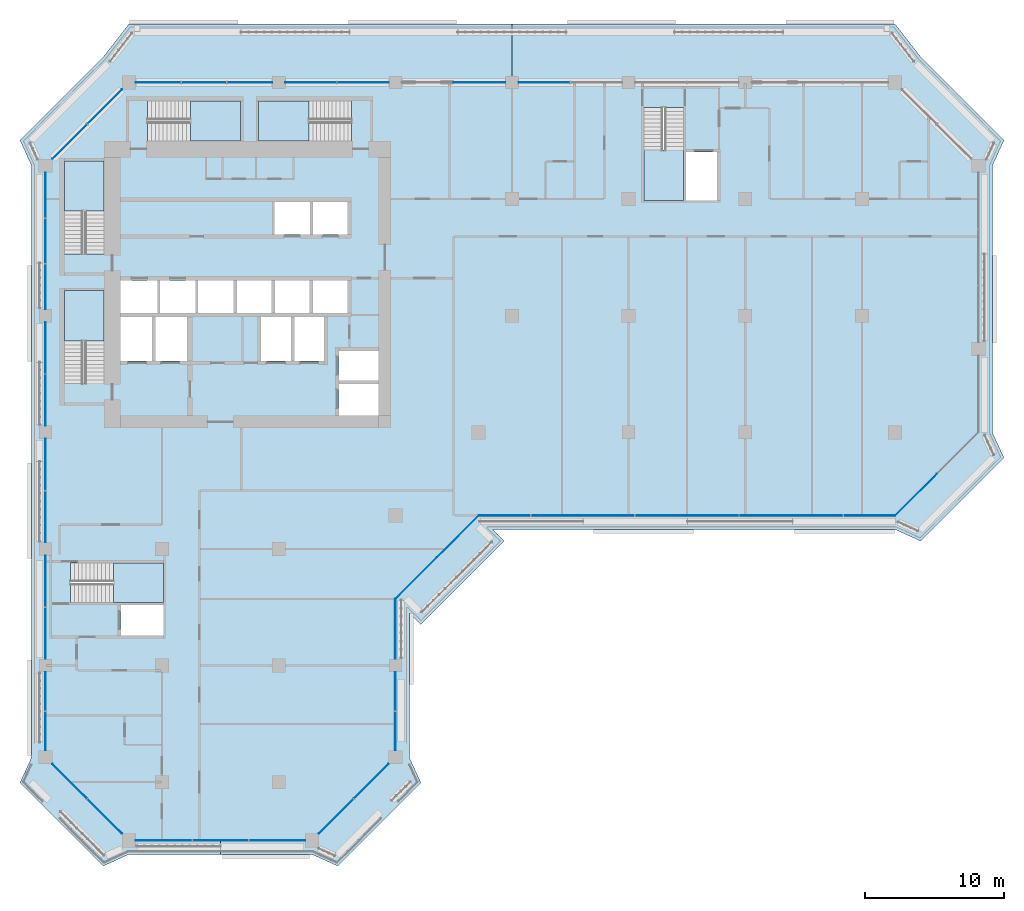
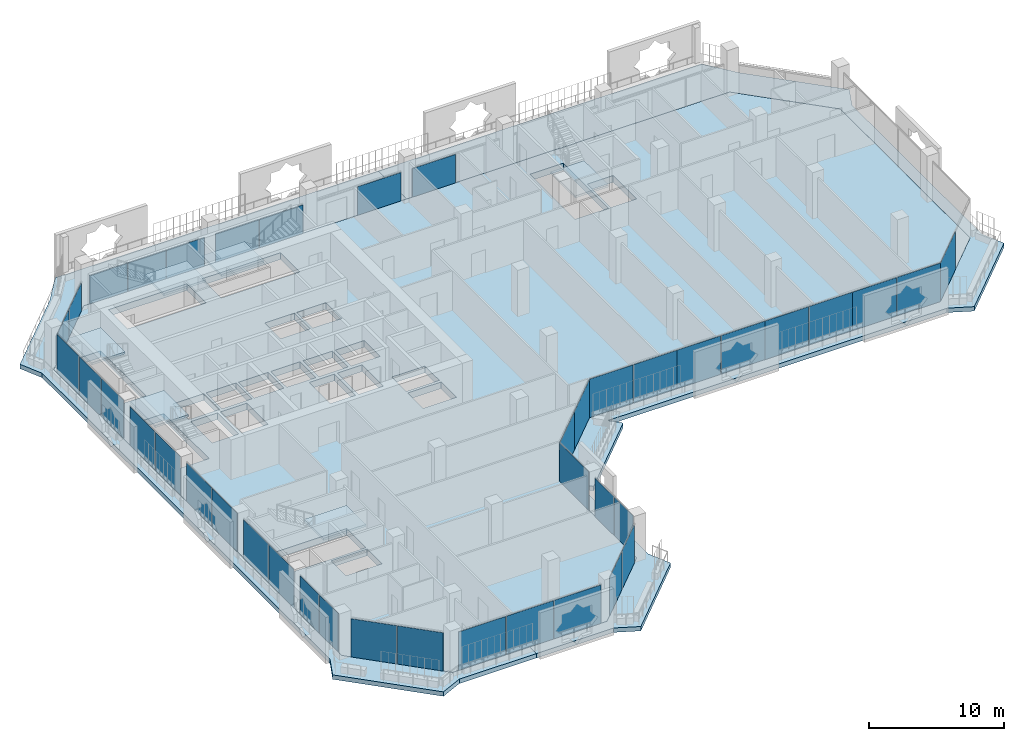
# One storey, part 8 of 22: 41 plates, 9 slabs, 16 elements without a shape of their own.
"""IFC4 building model written with IfcOpenShell, lengths in metres."""

import ifcopenshell
import ifcopenshell.guid

model = None  # the IFC model being written
_history = None  # IfcOwnerHistory: only IFC2X3 demands one
_inside = {}  # id of a spatial element -> (the spatial element, [elements in it])
_under = {}  # id of a project, library or spatial element -> (it, [spatial elements below it])
_declared = {}  # id of a project -> (the project, [libraries it declares])
_typed = {}  # id of a type object -> (the type object, [elements of that type])
_made_of = {}  # id of a material, layer set ... -> (it, [elements and type objects made of it])


def new_model(schema):
    """Start an empty IFC model of exactly this schema.

    Asked for "IFC4X3", IfcOpenShell would pick the latest addendum, in which some entities
    have other attributes; the version numbers below select the first issue.
    IFC2X3 requires an IfcOwnerHistory on every rooted entity: one is made here for all.
    """
    global model, _history
    if schema == "IFC4X3":
        model = ifcopenshell.file(schema_version=(4, 3, 0, 0))
    else:
        model = ifcopenshell.file(schema=schema)
    _inside.clear()
    _under.clear()
    _declared.clear()
    _typed.clear()
    _made_of.clear()
    _history = None
    if model.schema == "IFC2X3":
        org = make("IfcOrganization", Name="unknown")
        user = make(
            "IfcPersonAndOrganization",
            ThePerson=make("IfcPerson", FamilyName="unknown"),
            TheOrganization=org,
        )
        app = make(
            "IfcApplication",
            ApplicationDeveloper=org,
            Version="unknown",
            ApplicationFullName="unknown",
            ApplicationIdentifier="unknown",
        )
        _history = make(
            "IfcOwnerHistory",
            OwningUser=user,
            OwningApplication=app,
            ChangeAction="ADDED",
            CreationDate=0,
        )
    return model


def make(cls, **values):
    """One entity of the class cls with the attributes given. An attribute that is None is left unset."""
    return model.create_entity(
        cls, **{name: value for name, value in values.items() if value is not None}
    )


def rooted(cls, **values):
    """An entity with a GlobalId (a new one), such as an element, a storey or a relation."""
    return make(cls, GlobalId=ifcopenshell.guid.new(), OwnerHistory=_history, **values)


def si_unit(unit_type, name, prefix=None):
    """IfcSIUnit, for example si_unit("LENGTHUNIT", "METRE", prefix="MILLI")."""
    return make("IfcSIUnit", UnitType=unit_type, Prefix=prefix, Name=name)


def assignment(units):
    """IfcUnitAssignment: the units of a project."""
    return None if units is None else make("IfcUnitAssignment", Units=units)


def point(xyz):
    """IfcCartesianPoint."""
    return None if xyz is None else make("IfcCartesianPoint", Coordinates=xyz)


def direction(xyz):
    """IfcDirection."""
    return None if xyz is None else make("IfcDirection", DirectionRatios=xyz)


def frame(location, z_axis=None, x_axis=None):
    """IfcAxis2Placement3D, a coordinate frame: its origin and axes. An axis left out is left unset."""
    return make(
        "IfcAxis2Placement3D",
        Location=point(location),
        Axis=direction(z_axis),
        RefDirection=direction(x_axis),
    )


def frame_2d(location, x_axis=None):
    """IfcAxis2Placement2D, a coordinate frame in the plane: its origin and x axis."""
    return make(
        "IfcAxis2Placement2D", Location=point(location), RefDirection=direction(x_axis)
    )


def origin():
    """The frame at (0, 0, 0) with its axes left unset."""
    return frame((0.0, 0.0, 0.0))


def origin_2d():
    """The frame at (0, 0) in the plane with its x axis left unset."""
    return frame_2d((0.0, 0.0))


def place(relative_to, where):
    """IfcLocalPlacement: puts the frame where relative to a parent placement (None: the world)."""
    return make(
        "IfcLocalPlacement", PlacementRelTo=relative_to, RelativePlacement=where
    )


def context(
    kind, dimensions, precision=None, world=None, true_north=None, identifier=None
):
    """IfcGeometricRepresentationContext, for example the 3D "Model" context."""
    return make(
        "IfcGeometricRepresentationContext",
        ContextIdentifier=identifier,
        ContextType=kind,
        CoordinateSpaceDimension=dimensions,
        Precision=precision,
        WorldCoordinateSystem=world,
        TrueNorth=true_north,
    )


def subcontext(parent, identifier, kind, view, scale=None):
    """IfcGeometricRepresentationSubContext, for example "Body" below "Model"."""
    return make(
        "IfcGeometricRepresentationSubContext",
        ContextIdentifier=identifier,
        ContextType=kind,
        ParentContext=parent,
        TargetScale=scale,
        TargetView=view,
    )


def project(units=None, contexts=None):
    """IfcProject with its units and contexts."""
    return rooted(
        "IfcProject",
        Name="project",
        RepresentationContexts=contexts,
        UnitsInContext=assignment(units),
    )


def spatial(cls, under=None, at=None, **own):
    """A site, building, storey or space (cls), placed at a placement, below another one or the project."""
    s = rooted(cls, ObjectPlacement=at, **own)
    if under is not None:
        _under.setdefault(under.id(), (under, []))[1].append(s)
    return s


def polyline(points):
    """IfcPolyline through the points."""
    return make("IfcPolyline", Points=[point(p) for p in points])


def profile(cls, at=None, kind="AREA", **sizes):
    """A parametric profile (cls). Its sizes go by their IFC names, for example OverallWidth=200.0."""
    return make(cls, ProfileType=kind, Position=at, **sizes)


def rectangle(**sizes):
    """IfcRectangleProfileDef."""
    return profile("IfcRectangleProfileDef", **sizes)


def outline(outer, holes=None, kind="AREA"):
    """IfcArbitraryClosedProfileDef: a profile drawn as a closed curve; with holes, ...WithVoids."""
    if holes is None:
        return make("IfcArbitraryClosedProfileDef", ProfileType=kind, OuterCurve=outer)
    return make(
        "IfcArbitraryProfileDefWithVoids",
        ProfileType=kind,
        OuterCurve=outer,
        InnerCurves=holes,
    )


def extrude(swept, where, along, depth):
    """IfcExtrudedAreaSolid: the profile swept, set in the frame where, extruded along a direction by depth."""
    return make(
        "IfcExtrudedAreaSolid",
        SweptArea=swept,
        Position=where,
        ExtrudedDirection=direction(along),
        Depth=depth,
    )


def shape(context_of_items, identifier, shape_type, items):
    """IfcShapeRepresentation: the items that make up one representation, for example the "Body"."""
    return make(
        "IfcShapeRepresentation",
        ContextOfItems=context_of_items,
        RepresentationIdentifier=identifier,
        RepresentationType=shape_type,
        Items=items,
    )


def material(Name=None, Category=None):
    """IfcMaterial."""
    return make("IfcMaterial", Name=Name, Category=Category)


def layer(
    of_material, thickness, ventilated=None, Name=None, Category=None, Priority=None
):
    """IfcMaterialLayer: one layer of a wall or slab, of a material (None: an air gap)."""
    return make(
        "IfcMaterialLayer",
        Material=of_material,
        LayerThickness=thickness,
        IsVentilated=ventilated,
        Name=Name,
        Category=Category,
        Priority=Priority,
    )


def layer_set(layers, Name=None):
    """IfcMaterialLayerSet."""
    return make("IfcMaterialLayerSet", MaterialLayers=layers, LayerSetName=Name)


def made_of(thing, what):
    """Note that an element or type object is made of a material, layer set ...; save() writes the relation."""
    if what is not None:
        _made_of.setdefault(what.id(), (what, []))[1].append(thing)
    return thing


def type_object(cls, material=None, **own):
    """A type object (cls), such as IfcWallType, which elements share."""
    return made_of(rooted(cls, **own), material)


def element(
    cls,
    number,
    at=None,
    inside=None,
    cuts=None,
    type_object=None,
    material=None,
    context=None,
    identifier="Body",
    shape_type=None,
    held_by="IfcProductDefinitionShape",
    body=None,
    shapes=None,
    **own,
):
    """One element of the class cls, such as IfcWall. Its Tag is "e" and its number.

    at: its placement. inside: the storey or other place that contains it. cuts: it is an
    opening in that element (IfcRelVoidsElement). A single representation is given by context,
    identifier, shape_type and body (its items); several are given by shapes. held_by: the class
    of the entity that holds the representations. save() writes the other relations.
    """
    e = rooted(cls, Tag="e%d" % number, ObjectPlacement=at, **own)
    if body is not None:
        shapes = [shape(context, identifier, shape_type, body)]
    if shapes is not None:
        e.Representation = make(held_by, Representations=shapes)
    if inside is not None:
        _inside.setdefault(inside.id(), (inside, []))[1].append(e)
    if cuts is not None:
        rooted(
            "IfcRelVoidsElement", RelatingBuildingElement=cuts, RelatedOpeningElement=e
        )
    if type_object is not None:
        _typed.setdefault(type_object.id(), (type_object, []))[1].append(e)
    return made_of(e, material)


def aggregate(whole, parts):
    """IfcRelAggregates: a whole, such as a stair, and the parts it consists of."""
    return rooted("IfcRelAggregates", RelatingObject=whole, RelatedObjects=parts)


def save(model, path):
    """Write the relations noted so far, then the file.

    IfcRelAggregates (storeys below a building ...), IfcRelContainedInSpatialStructure (elements
    in a storey), IfcRelDefinesByType, IfcRelAssociatesMaterial and IfcRelDeclares: one each for
    every whole, place, type object, material and project.
    """
    for whole, parts in _under.values():
        aggregate(whole, parts)
    for where, things in _inside.values():
        rooted(
            "IfcRelContainedInSpatialStructure",
            RelatedElements=things,
            RelatingStructure=where,
        )
    for kind, things in _typed.values():
        rooted("IfcRelDefinesByType", RelatedObjects=things, RelatingType=kind)
    for what, things in _made_of.values():
        rooted("IfcRelAssociatesMaterial", RelatedObjects=things, RelatingMaterial=what)
    for by, libraries in _declared.values():
        rooted("IfcRelDeclares", RelatingContext=by, RelatedDefinitions=libraries)
    model.write(path)


model = new_model("IFC4")

# Units and contexts
model_context = context("Model", 3, precision=1e-05, world=origin(), true_north=direction((0.0, 1.0)))
body_context = subcontext(model_context, "Body", "Model", "MODEL_VIEW")
ifc_project = project(units=[si_unit("LENGTHUNIT", "METRE"), si_unit("AREAUNIT", "SQUARE_METRE"), si_unit("VOLUMEUNIT", "CUBIC_METRE"), si_unit("PLANEANGLEUNIT", "RADIAN"), si_unit("MASSUNIT", "GRAM", prefix="KILO")], contexts=[model_context])

# Site, building, storey
site_placement = place(None, origin())
site = spatial("IfcSite", under=ifc_project, at=site_placement, CompositionType="ELEMENT")
building_placement = place(site_placement, origin())
building = spatial("IfcBuilding", under=site, at=building_placement, Name="Kawkab Arch Medical Tower", CompositionType="ELEMENT")
storey_placement = place(building_placement, frame((0.0, 0.0, 179.39990234375)))
storey = spatial("IfcBuildingStorey", under=building, at=storey_placement, Name="L41", CompositionType="ELEMENT", Elevation=179.39990234375)

# Curtain wall, plates
ifc_material_1 = material(Name="Bronze anodised aluminium curtain wall frame", Category="aluminium")
ifc_layer_1 = layer(ifc_material_1, 0.159912109375)
ifc_layer_set_1 = layer_set([ifc_layer_1], Name="Bronze anodised aluminium curtain wall frame")
curtain_wall_type_1 = type_object("IfcCurtainWallType", Name="CW1 ward curtain wall", PredefinedType="NOTDEFINED", material=ifc_layer_set_1)
placement_1 = place(storey_placement, origin())
curtain_wall_1 = element("IfcCurtainWall", 1, at=placement_1, inside=storey, type_object=curtain_wall_type_1, Name="CW1 Ward curtain wall R01", PredefinedType="NOTDEFINED")
ifc_material_2 = material(Name="Tinted insulating glass, bronze low-e coating", Category="glass")
ifc_layer_2 = layer(ifc_material_2, 0.031982421875)
ifc_layer_set_2 = layer_set([ifc_layer_2], Name="Tinted insulating glass, bronze low-e coating")
plate_type_1 = type_object("IfcPlateType", Name="CW1 glazing unit 32", PredefinedType="CURTAIN_PANEL", material=ifc_layer_set_2)
plate_1_placement = place(storey_placement, frame((0.0, -8.12255859375, 0.0), z_axis=(0.0, 0.0, 1.0), x_axis=(0.0, -1.0, 0.0)))
plate_1 = element("IfcPlate", 2, at=plate_1_placement, type_object=plate_type_1, Name="CW1 glazing unit 1.1", PredefinedType="CURTAIN_PANEL", context=body_context, shape_type="SweptSolid", body=[
    extrude(rectangle(XDim=3.2451171875, YDim=0.031982421875, at=origin_2d()), origin(), (0.0, 0.0, 1.0), 3.47998046875),
])
plate_2_placement = place(storey_placement, frame((0.0, -11.41259765625, 0.0), z_axis=(0.0, 0.0, 1.0), x_axis=(0.0, -1.0, 0.0)))
plate_2 = element("IfcPlate", 3, at=plate_2_placement, type_object=plate_type_1, Name="CW1 glazing unit 1.2", PredefinedType="CURTAIN_PANEL", context=body_context, shape_type="SweptSolid", body=[
    extrude(rectangle(XDim=3.215087890625, YDim=0.031982421875, at=origin_2d()), origin(), (0.0, 0.0, 1.0), 3.47998046875),
])
plate_3_placement = place(storey_placement, frame((0.0, -14.702392578125, 0.0), z_axis=(0.0, 0.0, 1.0), x_axis=(0.0, -1.0, 0.0)))
plate_3 = element("IfcPlate", 4, at=plate_3_placement, type_object=plate_type_1, Name="CW1 glazing unit 1.3", PredefinedType="CURTAIN_PANEL", context=body_context, shape_type="SweptSolid", body=[
    extrude(rectangle(XDim=3.2451171875, YDim=0.031982421875, at=origin_2d()), origin(), (0.0, 0.0, 1.0), 3.47998046875),
])
plate_4_placement = place(storey_placement, frame((0.0, -19.12255859375, 0.0), z_axis=(0.0, 0.0, 1.0), x_axis=(0.0, -1.0, 0.0)))
plate_4 = element("IfcPlate", 5, at=plate_4_placement, type_object=plate_type_1, Name="CW1 glazing unit 2.1", PredefinedType="CURTAIN_PANEL", context=body_context, shape_type="SweptSolid", body=[
    extrude(rectangle(XDim=3.695068359375, YDim=0.031982421875, at=origin_2d()), origin(), (0.0, 0.0, 1.0), 3.47998046875),
])
plate_5_placement = place(storey_placement, frame((0.0, -22.87744140625, 0.0), z_axis=(0.0, 0.0, 1.0), x_axis=(0.0, -1.0, 0.0)))
plate_5 = element("IfcPlate", 6, at=plate_5_placement, type_object=plate_type_1, Name="CW1 glazing unit 2.2", PredefinedType="CURTAIN_PANEL", context=body_context, shape_type="SweptSolid", body=[
    extrude(rectangle(XDim=3.695068359375, YDim=0.031982421875, at=origin_2d()), origin(), (0.0, 0.0, 1.0), 3.47998046875),
])
plate_6_placement = place(storey_placement, frame((0.0, -27.5224609375, 0.0), z_axis=(0.0, 0.0, 1.0), x_axis=(0.0, -1.0, 0.0)))
plate_6 = element("IfcPlate", 7, at=plate_6_placement, type_object=plate_type_1, Name="CW1 glazing unit 3.1", PredefinedType="CURTAIN_PANEL", context=body_context, shape_type="SweptSolid", body=[
    extrude(rectangle(XDim=3.695068359375, YDim=0.031982421875, at=origin_2d()), origin(), (0.0, 0.0, 1.0), 3.47998046875),
])
plate_7_placement = place(storey_placement, frame((0.0, -31.277587890625, 0.0), z_axis=(0.0, 0.0, 1.0), x_axis=(0.0, -1.0, 0.0)))
plate_7 = element("IfcPlate", 8, at=plate_7_placement, type_object=plate_type_1, Name="CW1 glazing unit 3.2", PredefinedType="CURTAIN_PANEL", context=body_context, shape_type="SweptSolid", body=[
    extrude(rectangle(XDim=3.695068359375, YDim=0.031982421875, at=origin_2d()), origin(), (0.0, 0.0, 1.0), 3.47998046875),
])
plate_8_placement = place(storey_placement, frame((0.0, -35.922607421875, 0.0), z_axis=(0.0, 0.0, 1.0), x_axis=(0.0, -1.0, 0.0)))
plate_8 = element("IfcPlate", 9, at=plate_8_placement, type_object=plate_type_1, Name="CW1 glazing unit 4.1", PredefinedType="CURTAIN_PANEL", context=body_context, shape_type="SweptSolid", body=[
    extrude(rectangle(XDim=3.695068359375, YDim=0.031982421875, at=origin_2d()), origin(), (0.0, 0.0, 1.0), 3.47998046875),
])
plate_9_placement = place(storey_placement, frame((0.0, -39.677490234375, 0.0), z_axis=(0.0, 0.0, 1.0), x_axis=(0.0, -1.0, 0.0)))
plate_9 = element("IfcPlate", 10, at=plate_9_placement, type_object=plate_type_1, Name="CW1 glazing unit 4.2", PredefinedType="CURTAIN_PANEL", context=body_context, shape_type="SweptSolid", body=[
    extrude(rectangle(XDim=3.695068359375, YDim=0.031982421875, at=origin_2d()), origin(), (0.0, 0.0, 1.0), 3.47998046875),
])
plate_10_placement = place(storey_placement, frame((0.0, -43.8662109375, 0.0), z_axis=(0.0, 0.0, 1.0), x_axis=(0.0, -1.0, 0.0)))
plate_10 = element("IfcPlate", 11, at=plate_10_placement, type_object=plate_type_1, Name="CW1 glazing unit 5.1", PredefinedType="CURTAIN_PANEL", context=body_context, shape_type="SweptSolid", body=[
    extrude(rectangle(XDim=2.782470703125, YDim=0.031982421875, at=origin_2d()), origin(), (0.0, 0.0, 1.0), 3.47998046875),
])
plate_11_placement = place(storey_placement, frame((0.0, -46.708740234375, 0.0), z_axis=(0.0, 0.0, 1.0), x_axis=(0.0, -1.0, 0.0)))
plate_11 = element("IfcPlate", 12, at=plate_11_placement, type_object=plate_type_1, Name="CW1 glazing unit 5.2", PredefinedType="CURTAIN_PANEL", context=body_context, shape_type="SweptSolid", body=[
    extrude(rectangle(XDim=2.782470703125, YDim=0.031982421875, at=origin_2d()), origin(), (0.0, 0.0, 1.0), 3.47998046875),
])
aggregate(curtain_wall_1, [plate_1, plate_2, plate_3, plate_4, plate_5, plate_6, plate_7, plate_8, plate_9, plate_10, plate_11])

curtain_wall_2 = element("IfcCurtainWall", 13, at=placement_1, inside=storey, type_object=curtain_wall_type_1, Name="CW1 Ward curtain wall R03", PredefinedType="NOTDEFINED")
plate_12_placement = place(storey_placement, frame((8.518310546875, -54.60009765625, 0.0), z_axis=(0.0, 0.0, 1.0), x_axis=(1.0, 0.0, 0.0)))
plate_12 = element("IfcPlate", 14, at=plate_12_placement, type_object=plate_type_1, Name="CW1 glazing unit 1.1", PredefinedType="CURTAIN_PANEL", context=body_context, shape_type="SweptSolid", body=[
    extrude(rectangle(XDim=4.03662109375, YDim=0.031982421875, at=origin_2d()), origin(), (0.0, 0.0, 1.0), 3.47998046875),
])
plate_13_placement = place(storey_placement, frame((12.60009765625, -54.60009765625, 0.0), z_axis=(0.0, 0.0, 1.0), x_axis=(1.0, 0.0, 0.0)))
plate_13 = element("IfcPlate", 15, at=plate_13_placement, type_object=plate_type_1, Name="CW1 glazing unit 1.2", PredefinedType="CURTAIN_PANEL", context=body_context, shape_type="SweptSolid", body=[
    extrude(rectangle(XDim=4.006591796875, YDim=0.031982421875, at=origin_2d()), origin(), (0.0, 0.0, 1.0), 3.47998046875),
])
plate_14_placement = place(storey_placement, frame((16.681640625, -54.60009765625, 0.0), z_axis=(0.0, 0.0, 1.0), x_axis=(1.0, 0.0, 0.0)))
plate_14 = element("IfcPlate", 16, at=plate_14_placement, type_object=plate_type_1, Name="CW1 glazing unit 1.3", PredefinedType="CURTAIN_PANEL", context=body_context, shape_type="SweptSolid", body=[
    extrude(rectangle(XDim=4.03662109375, YDim=0.031982421875, at=origin_2d()), origin(), (0.0, 0.0, 1.0), 3.47998046875),
])
aggregate(curtain_wall_2, [plate_12, plate_13, plate_14])

curtain_wall_3 = element("IfcCurtainWall", 17, at=placement_1, inside=storey, type_object=curtain_wall_type_1, Name="CW1 Ward curtain wall R05", PredefinedType="NOTDEFINED")
plate_15_placement = place(storey_placement, frame((25.199951171875, -46.708740234375, 0.0), z_axis=(0.0, 0.0, 1.0), x_axis=(0.0, 1.0, 0.0)))
plate_15 = element("IfcPlate", 18, at=plate_15_placement, type_object=plate_type_1, Name="CW1 glazing unit 1.1", PredefinedType="CURTAIN_PANEL", context=body_context, shape_type="SweptSolid", body=[
    extrude(rectangle(XDim=2.782470703125, YDim=0.031982421875, at=origin_2d()), origin(), (0.0, 0.0, 1.0), 3.47998046875),
])
plate_16_placement = place(storey_placement, frame((25.199951171875, -43.8662109375, 0.0), z_axis=(0.0, 0.0, 1.0), x_axis=(0.0, 1.0, 0.0)))
plate_16 = element("IfcPlate", 19, at=plate_16_placement, type_object=plate_type_1, Name="CW1 glazing unit 1.2", PredefinedType="CURTAIN_PANEL", context=body_context, shape_type="SweptSolid", body=[
    extrude(rectangle(XDim=2.782470703125, YDim=0.031982421875, at=origin_2d()), origin(), (0.0, 0.0, 1.0), 3.47998046875),
])
plate_17_placement = place(storey_placement, frame((25.199951171875, -39.362548828125, 0.0), z_axis=(0.0, 0.0, 1.0), x_axis=(0.0, 1.0, 0.0)))
plate_17 = element("IfcPlate", 20, at=plate_17_placement, type_object=plate_type_1, Name="CW1 glazing unit 2.1", PredefinedType="CURTAIN_PANEL", context=body_context, shape_type="SweptSolid", body=[
    extrude(rectangle(XDim=4.324951171875, YDim=0.031982421875, at=origin_2d()), origin(), (0.0, 0.0, 1.0), 3.47998046875),
])
aggregate(curtain_wall_3, [plate_15, plate_16, plate_17])

curtain_wall_4 = element("IfcCurtainWall", 21, at=placement_1, inside=storey, type_object=curtain_wall_type_1, Name="CW1 Ward curtain wall R07", PredefinedType="NOTDEFINED")
plate_18_placement = place(storey_placement, frame((33.06005859375, -31.199951171875, 0.0), z_axis=(0.0, 0.0, 1.0), x_axis=(1.0, 0.0, 0.0)))
plate_18 = element("IfcPlate", 22, at=plate_18_placement, type_object=plate_type_1, Name="CW1 glazing unit 1.1", PredefinedType="CURTAIN_PANEL", context=body_context, shape_type="SweptSolid", body=[
    extrude(rectangle(XDim=3.719970703125, YDim=0.031982421875, at=origin_2d()), origin(), (0.0, 0.0, 1.0), 3.47998046875),
])
plate_19_placement = place(storey_placement, frame((36.840087890625, -31.199951171875, 0.0), z_axis=(0.0, 0.0, 1.0), x_axis=(1.0, 0.0, 0.0)))
plate_19 = element("IfcPlate", 23, at=plate_19_placement, type_object=plate_type_1, Name="CW1 glazing unit 1.2", PredefinedType="CURTAIN_PANEL", context=body_context, shape_type="SweptSolid", body=[
    extrude(rectangle(XDim=3.719970703125, YDim=0.031982421875, at=origin_2d()), origin(), (0.0, 0.0, 1.0), 3.47998046875),
])
plate_20_placement = place(storey_placement, frame((40.56005859375, -31.199951171875, 0.0), z_axis=(0.0, 0.0, 1.0), x_axis=(1.0, 0.0, 0.0)))
plate_20 = element("IfcPlate", 24, at=plate_20_placement, type_object=plate_type_1, Name="CW1 glazing unit 2.1", PredefinedType="CURTAIN_PANEL", context=body_context, shape_type="SweptSolid", body=[
    extrude(rectangle(XDim=3.719970703125, YDim=0.031982421875, at=origin_2d()), origin(), (0.0, 0.0, 1.0), 3.47998046875),
])
plate_21_placement = place(storey_placement, frame((44.340087890625, -31.199951171875, 0.0), z_axis=(0.0, 0.0, 1.0), x_axis=(1.0, 0.0, 0.0)))
plate_21 = element("IfcPlate", 25, at=plate_21_placement, type_object=plate_type_1, Name="CW1 glazing unit 2.2", PredefinedType="CURTAIN_PANEL", context=body_context, shape_type="SweptSolid", body=[
    extrude(rectangle(XDim=3.719970703125, YDim=0.031982421875, at=origin_2d()), origin(), (0.0, 0.0, 1.0), 3.47998046875),
])
plate_22_placement = place(storey_placement, frame((48.06005859375, -31.199951171875, 0.0), z_axis=(0.0, 0.0, 1.0), x_axis=(1.0, 0.0, 0.0)))
plate_22 = element("IfcPlate", 26, at=plate_22_placement, type_object=plate_type_1, Name="CW1 glazing unit 3.1", PredefinedType="CURTAIN_PANEL", context=body_context, shape_type="SweptSolid", body=[
    extrude(rectangle(XDim=3.719970703125, YDim=0.031982421875, at=origin_2d()), origin(), (0.0, 0.0, 1.0), 3.47998046875),
])
plate_23_placement = place(storey_placement, frame((51.840087890625, -31.199951171875, 0.0), z_axis=(0.0, 0.0, 1.0), x_axis=(1.0, 0.0, 0.0)))
plate_23 = element("IfcPlate", 27, at=plate_23_placement, type_object=plate_type_1, Name="CW1 glazing unit 3.2", PredefinedType="CURTAIN_PANEL", context=body_context, shape_type="SweptSolid", body=[
    extrude(rectangle(XDim=3.719970703125, YDim=0.031982421875, at=origin_2d()), origin(), (0.0, 0.0, 1.0), 3.47998046875),
])
plate_24_placement = place(storey_placement, frame((55.56005859375, -31.199951171875, 0.0), z_axis=(0.0, 0.0, 1.0), x_axis=(1.0, 0.0, 0.0)))
plate_24 = element("IfcPlate", 28, at=plate_24_placement, type_object=plate_type_1, Name="CW1 glazing unit 4.1", PredefinedType="CURTAIN_PANEL", context=body_context, shape_type="SweptSolid", body=[
    extrude(rectangle(XDim=3.719970703125, YDim=0.031982421875, at=origin_2d()), origin(), (0.0, 0.0, 1.0), 3.47998046875),
])
plate_25_placement = place(storey_placement, frame((59.340087890625, -31.199951171875, 0.0), z_axis=(0.0, 0.0, 1.0), x_axis=(1.0, 0.0, 0.0)))
plate_25 = element("IfcPlate", 29, at=plate_25_placement, type_object=plate_type_1, Name="CW1 glazing unit 4.2", PredefinedType="CURTAIN_PANEL", context=body_context, shape_type="SweptSolid", body=[
    extrude(rectangle(XDim=3.719970703125, YDim=0.031982421875, at=origin_2d()), origin(), (0.0, 0.0, 1.0), 3.47998046875),
])
aggregate(curtain_wall_4, [plate_18, plate_19, plate_20, plate_21, plate_22, plate_23, plate_24, plate_25])

curtain_wall_5 = element("IfcCurtainWall", 30, at=placement_1, inside=storey, type_object=curtain_wall_type_1, Name="CW1 Ward curtain wall R11", PredefinedType="NOTDEFINED")
plate_26_placement = place(storey_placement, frame((35.922607421875, 0.0, 0.0), z_axis=(0.0, 0.0, 1.0), x_axis=(-1.0, 0.0, 0.0)))
plate_26 = element("IfcPlate", 31, at=plate_26_placement, type_object=plate_type_1, Name="CW1 glazing unit 3.2", PredefinedType="CURTAIN_PANEL", context=body_context, shape_type="SweptSolid", body=[
    extrude(rectangle(XDim=3.695068359375, YDim=0.031982421875, at=origin_2d()), origin(), (0.0, 0.0, 1.0), 2.580078125),
])
plate_27_placement = place(storey_placement, frame((31.262451171875, 0.0, 0.0), z_axis=(0.0, 0.0, 1.0), x_axis=(-1.0, 0.0, 0.0)))
plate_27 = element("IfcPlate", 32, at=plate_27_placement, type_object=plate_type_1, Name="CW1 glazing unit 4.1", PredefinedType="CURTAIN_PANEL", context=body_context, shape_type="SweptSolid", body=[
    extrude(rectangle(XDim=3.72509765625, YDim=0.031982421875, at=origin_2d()), origin(), (0.0, 0.0, 1.0), 2.580078125),
])
plate_28_placement = place(storey_placement, frame((22.87744140625, 0.0, 0.0), z_axis=(0.0, 0.0, 1.0), x_axis=(-1.0, 0.0, 0.0)))
plate_28 = element("IfcPlate", 33, at=plate_28_placement, type_object=plate_type_1, Name="CW1 glazing unit 5.1", PredefinedType="CURTAIN_PANEL", context=body_context, shape_type="SweptSolid", body=[
    extrude(rectangle(XDim=3.695068359375, YDim=0.031982421875, at=origin_2d()), origin(), (0.0, 0.0, 1.0), 2.580078125),
])
plate_29_placement = place(storey_placement, frame((19.12255859375, 0.0, 0.0), z_axis=(0.0, 0.0, 1.0), x_axis=(-1.0, 0.0, 0.0)))
plate_29 = element("IfcPlate", 34, at=plate_29_placement, type_object=plate_type_1, Name="CW1 glazing unit 5.2", PredefinedType="CURTAIN_PANEL", context=body_context, shape_type="SweptSolid", body=[
    extrude(rectangle(XDim=3.695068359375, YDim=0.031982421875, at=origin_2d()), origin(), (0.0, 0.0, 1.0), 2.580078125),
])
plate_30_placement = place(storey_placement, frame((14.702392578125, 0.0, 0.0), z_axis=(0.0, 0.0, 1.0), x_axis=(-1.0, 0.0, 0.0)))
plate_30 = element("IfcPlate", 35, at=plate_30_placement, type_object=plate_type_1, Name="CW1 glazing unit 6.1", PredefinedType="CURTAIN_PANEL", context=body_context, shape_type="SweptSolid", body=[
    extrude(rectangle(XDim=3.2451171875, YDim=0.031982421875, at=origin_2d()), origin(), (0.0, 0.0, 1.0), 2.580078125),
])
plate_31_placement = place(storey_placement, frame((11.41259765625, 0.0, 0.0), z_axis=(0.0, 0.0, 1.0), x_axis=(-1.0, 0.0, 0.0)))
plate_31 = element("IfcPlate", 36, at=plate_31_placement, type_object=plate_type_1, Name="CW1 glazing unit 6.2", PredefinedType="CURTAIN_PANEL", context=body_context, shape_type="SweptSolid", body=[
    extrude(rectangle(XDim=3.215087890625, YDim=0.031982421875, at=origin_2d()), origin(), (0.0, 0.0, 1.0), 2.580078125),
])
plate_32_placement = place(storey_placement, frame((8.12255859375, 0.0, 0.0), z_axis=(0.0, 0.0, 1.0), x_axis=(-1.0, 0.0, 0.0)))
plate_32 = element("IfcPlate", 37, at=plate_32_placement, type_object=plate_type_1, Name="CW1 glazing unit 6.3", PredefinedType="CURTAIN_PANEL", context=body_context, shape_type="SweptSolid", body=[
    extrude(rectangle(XDim=3.2451171875, YDim=0.031982421875, at=origin_2d()), origin(), (0.0, 0.0, 1.0), 2.580078125),
])
aggregate(curtain_wall_5, [plate_26, plate_27, plate_28, plate_29, plate_30, plate_31, plate_32])

ifc_material_3 = material(Name="Bronze anodised aluminium curtain wall frame", Category="aluminium")
ifc_layer_3 = layer(ifc_material_3, 0.159912109375)
ifc_layer_set_3 = layer_set([ifc_layer_3], Name="Bronze anodised aluminium curtain wall frame")
curtain_wall_type_2 = type_object("IfcCurtainWallType", Name="CW2 chamfer curtain wall", PredefinedType="NOTDEFINED", material=ifc_layer_set_3)
curtain_wall_6 = element("IfcCurtainWall", 38, at=placement_1, inside=storey, type_object=curtain_wall_type_2, Name="CW2 Chamfer curtain wall R02", PredefinedType="NOTDEFINED")
ifc_material_4 = material(Name="Tinted insulating glass, bronze low-e coating", Category="glass")
ifc_layer_4 = layer(ifc_material_4, 0.031982421875)
ifc_layer_set_4 = layer_set([ifc_layer_4], Name="Tinted insulating glass, bronze low-e coating")
plate_type_2 = type_object("IfcPlateType", Name="CW2 glazing unit 32", PredefinedType="CURTAIN_PANEL", material=ifc_layer_set_4)
plate_33_placement = place(storey_placement, frame((1.739501953125, -50.33935546875, 0.0), z_axis=(0.0, 0.0, 1.0), x_axis=(0.707106781187, -0.707106781187, 0.0)))
plate_33 = element("IfcPlate", 39, at=plate_33_placement, type_object=plate_type_2, Name="CW2 glazing unit 1.1", PredefinedType="CURTAIN_PANEL", context=body_context, shape_type="SweptSolid", body=[
    extrude(rectangle(XDim=3.505615234375, YDim=0.031982421875, at=origin_2d()), origin(), (0.0, 0.0, 1.0), 3.4599609375),
])
plate_34_placement = place(storey_placement, frame((4.260498046875, -52.860595703125, 0.0), z_axis=(0.0, 0.0, 1.0), x_axis=(0.707106781187, -0.707106781187, 0.0)))
plate_34 = element("IfcPlate", 40, at=plate_34_placement, type_object=plate_type_2, Name="CW2 glazing unit 1.2", PredefinedType="CURTAIN_PANEL", context=body_context, shape_type="SweptSolid", body=[
    extrude(rectangle(XDim=3.505615234375, YDim=0.031982421875, at=origin_2d()), origin(), (0.0, 0.0, 1.0), 3.4599609375),
])
aggregate(curtain_wall_6, [plate_33, plate_34])

curtain_wall_7 = element("IfcCurtainWall", 41, at=placement_1, inside=storey, type_object=curtain_wall_type_2, Name="CW2 Chamfer curtain wall R04", PredefinedType="NOTDEFINED")
plate_35_placement = place(storey_placement, frame((20.939453125, -52.860595703125, 0.0), z_axis=(0.0, 0.0, 1.0), x_axis=(0.707106781187, 0.707106781187, 0.0)))
plate_35 = element("IfcPlate", 42, at=plate_35_placement, type_object=plate_type_2, Name="CW2 glazing unit 1.1", PredefinedType="CURTAIN_PANEL", context=body_context, shape_type="SweptSolid", body=[
    extrude(rectangle(XDim=3.505615234375, YDim=0.031982421875, at=origin_2d()), origin(), (0.0, 0.0, 1.0), 3.4599609375),
])
plate_36_placement = place(storey_placement, frame((23.460693359375, -50.33935546875, 0.0), z_axis=(0.0, 0.0, 1.0), x_axis=(0.707106781187, 0.707106781187, 0.0)))
plate_36 = element("IfcPlate", 43, at=plate_36_placement, type_object=plate_type_2, Name="CW2 glazing unit 1.2", PredefinedType="CURTAIN_PANEL", context=body_context, shape_type="SweptSolid", body=[
    extrude(rectangle(XDim=3.505615234375, YDim=0.031982421875, at=origin_2d()), origin(), (0.0, 0.0, 1.0), 3.4599609375),
])
aggregate(curtain_wall_7, [plate_35, plate_36])

curtain_wall_8 = element("IfcCurtainWall", 44, at=placement_1, inside=storey, type_object=curtain_wall_type_2, Name="CW2 Chamfer curtain wall R06", PredefinedType="NOTDEFINED")
plate_37_placement = place(storey_placement, frame((26.699951171875, -35.699951171875, 0.0), z_axis=(0.0, 0.0, 1.0), x_axis=(0.707106781187, 0.707106781187, 0.0)))
plate_37 = element("IfcPlate", 45, at=plate_37_placement, type_object=plate_type_2, Name="CW2 glazing unit 1.1", PredefinedType="CURTAIN_PANEL", context=body_context, shape_type="SweptSolid", body=[
    extrude(rectangle(XDim=4.24267578125, YDim=0.031982421875, at=origin_2d()), origin(), (0.0, 0.0, 1.0), 3.4599609375),
])
plate_38_placement = place(storey_placement, frame((29.699951171875, -32.699951171875, 0.0), z_axis=(0.0, 0.0, 1.0), x_axis=(0.707106781187, 0.707106781187, 0.0)))
plate_38 = element("IfcPlate", 46, at=plate_38_placement, type_object=plate_type_2, Name="CW2 glazing unit 2.1", PredefinedType="CURTAIN_PANEL", context=body_context, shape_type="SweptSolid", body=[
    extrude(rectangle(XDim=4.24267578125, YDim=0.031982421875, at=origin_2d()), origin(), (0.0, 0.0, 1.0), 3.4599609375),
])
aggregate(curtain_wall_8, [plate_37, plate_38])

# Curtain wall, plate
curtain_wall_9 = element("IfcCurtainWall", 47, at=placement_1, inside=storey, type_object=curtain_wall_type_2, Name="CW2 Chamfer curtain wall R08", PredefinedType="NOTDEFINED")
plate_39_placement = place(storey_placement, frame((62.699951171875, -29.699951171875, 0.0), z_axis=(0.0, 0.0, 1.0), x_axis=(0.707106781187, 0.707106781187, 0.0)))
plate_39 = element("IfcPlate", 48, at=plate_39_placement, type_object=plate_type_2, Name="CW2 glazing unit 1.1", PredefinedType="CURTAIN_PANEL", context=body_context, shape_type="SweptSolid", body=[
    extrude(rectangle(XDim=4.24267578125, YDim=0.031982421875, at=origin_2d()), origin(), (0.0, 0.0, 1.0), 3.4599609375),
])
aggregate(curtain_wall_9, [plate_39])

# Curtain wall, plates
curtain_wall_10 = element("IfcCurtainWall", 49, at=placement_1, inside=storey, type_object=curtain_wall_type_2, Name="CW2 Chamfer curtain wall R12", PredefinedType="NOTDEFINED")
plate_40_placement = place(storey_placement, frame((4.260498046875, -1.739501953125, 0.0), z_axis=(0.0, 0.0, 1.0), x_axis=(-0.707106781187, -0.707106781187, 0.0)))
plate_40 = element("IfcPlate", 50, at=plate_40_placement, type_object=plate_type_2, Name="CW2 glazing unit 1.1", PredefinedType="CURTAIN_PANEL", context=body_context, shape_type="SweptSolid", body=[
    extrude(rectangle(XDim=3.505615234375, YDim=0.031982421875, at=origin_2d()), origin(), (0.0, 0.0, 1.0), 2.56005859375),
])
plate_41_placement = place(storey_placement, frame((1.739501953125, -4.260498046875, 0.0), z_axis=(0.0, 0.0, 1.0), x_axis=(-0.707106781187, -0.707106781187, 0.0)))
plate_41 = element("IfcPlate", 51, at=plate_41_placement, type_object=plate_type_2, Name="CW2 glazing unit 1.2", PredefinedType="CURTAIN_PANEL", context=body_context, shape_type="SweptSolid", body=[
    extrude(rectangle(XDim=3.505615234375, YDim=0.031982421875, at=origin_2d()), origin(), (0.0, 0.0, 1.0), 2.56005859375),
])
aggregate(curtain_wall_10, [plate_40, plate_41])

# Stair, slab
ifc_material_5 = material(Name="Concrete C40/50", Category="concrete")
stair_type = type_object("IfcStairType", Name="Exit stair 1350", PredefinedType="HALF_TURN_STAIR", material=ifc_material_5)
stair_1 = element("IfcStair", 52, at=placement_1, inside=storey, type_object=stair_type, Name="L41 Exit stair ST1", PredefinedType="HALF_TURN_STAIR")
ifc_material_6 = material(Name="Concrete C40/50", Category="concrete")
ifc_layer_5 = layer(ifc_material_6, 0.199951171875)
ifc_layer_set_5 = layer_set([ifc_layer_5], Name="Concrete C40/50")
slab_type_1 = type_object("IfcSlabType", Name="Exit stair landing 200", PredefinedType="LANDING", material=ifc_layer_set_5)
placement_2 = place(storey_placement, frame((0.0, 0.0, 1.900146484375)))
slab_1 = element("IfcSlab", 53, at=placement_2, type_object=slab_type_1, Name="ST1 landing 1", PredefinedType="LANDING", context=body_context, shape_type="SweptSolid", body=[
    extrude(outline(polyline([(4.199951171875, -9.27001953125), (4.199951171875, -5.64990234375), (1.35009765625, -5.64990234375), (1.35009765625, -9.27001953125), (4.199951171875, -9.27001953125)])), origin(), (0.0, 0.0, 1.0), 0.199951171875),
])
aggregate(stair_1, [slab_1])

stair_2 = element("IfcStair", 54, at=placement_1, inside=storey, type_object=stair_type, Name="L41 Exit stair ST2", PredefinedType="HALF_TURN_STAIR")
slab_2 = element("IfcSlab", 55, at=placement_2, type_object=slab_type_1, Name="ST2 landing 1", PredefinedType="LANDING", context=body_context, shape_type="SweptSolid", body=[
    extrude(outline(polyline([(4.199951171875, -18.6201171875), (4.199951171875, -15.0), (1.35009765625, -15.0), (1.35009765625, -18.6201171875), (4.199951171875, -18.6201171875)])), origin(), (0.0, 0.0, 1.0), 0.199951171875),
])
aggregate(stair_2, [slab_2])

stair_3 = element("IfcStair", 56, at=placement_1, inside=storey, type_object=stair_type, Name="L41 Exit stair ST3", PredefinedType="HALF_TURN_STAIR")
slab_3 = element("IfcSlab", 57, at=placement_2, type_object=slab_type_1, Name="ST3 landing 1", PredefinedType="LANDING", context=body_context, shape_type="SweptSolid", body=[
    extrude(outline(polyline([(10.429931640625, -4.199951171875), (14.050048828125, -4.199951171875), (14.050048828125, -1.35009765625), (10.429931640625, -1.35009765625), (10.429931640625, -4.199951171875)])), origin(), (0.0, 0.0, 1.0), 0.199951171875),
])
aggregate(stair_3, [slab_3])

stair_4 = element("IfcStair", 58, at=placement_1, inside=storey, type_object=stair_type, Name="L41 Exit stair ST4", PredefinedType="HALF_TURN_STAIR")
slab_4 = element("IfcSlab", 59, at=placement_2, type_object=slab_type_1, Name="ST4 landing 1", PredefinedType="LANDING", context=body_context, shape_type="SweptSolid", body=[
    extrude(outline(polyline([(18.969970703125, -1.35009765625), (15.35009765625, -1.35009765625), (15.35009765625, -4.199951171875), (18.969970703125, -4.199951171875), (18.969970703125, -1.35009765625)])), origin(), (0.0, 0.0, 1.0), 0.199951171875),
])
aggregate(stair_4, [slab_4])

stair_5 = element("IfcStair", 60, at=placement_1, inside=storey, type_object=stair_type, Name="L41 Exit stair ST5", PredefinedType="HALF_TURN_STAIR")
slab_5 = element("IfcSlab", 61, at=placement_2, type_object=slab_type_1, Name="ST5 landing 1", PredefinedType="LANDING", context=body_context, shape_type="SweptSolid", body=[
    extrude(outline(polyline([(43.10009765625, -4.8798828125), (43.10009765625, -8.5), (45.949951171875, -8.5), (45.949951171875, -4.8798828125), (43.10009765625, -4.8798828125)])), origin(), (0.0, 0.0, 1.0), 0.199951171875),
])
aggregate(stair_5, [slab_5])

stair_6 = element("IfcStair", 62, at=placement_1, inside=storey, type_object=stair_type, Name="L41 Exit stair ST6", PredefinedType="HALF_TURN_STAIR")
slab_6 = element("IfcSlab", 63, at=placement_2, type_object=slab_type_1, Name="ST6 landing 1", PredefinedType="LANDING", context=body_context, shape_type="SweptSolid", body=[
    extrude(outline(polyline([(4.8798828125, -37.449951171875), (8.5, -37.449951171875), (8.5, -34.60009765625), (4.8798828125, -34.60009765625), (4.8798828125, -37.449951171875)])), origin(), (0.0, 0.0, 1.0), 0.199951171875),
])
aggregate(stair_6, [slab_6])

# Slabs
ifc_material_7 = material(Name="Concrete C45/55", Category="concrete")
ifc_layer_6 = layer(ifc_material_7, 0.60009765625)
ifc_layer_set_6 = layer_set([ifc_layer_6], Name="Concrete C45/55")
slab_type_2 = type_object("IfcSlabType", Name="Flat plate 600 C45/55", PredefinedType="FLOOR", material=ifc_layer_set_6)
slab_7_placement = place(storey_placement, frame((0.0, 0.0, -0.599853515625)))
element("IfcSlab", 64, at=slab_7_placement, inside=storey, type_object=slab_type_2, Name="Floor slab L41", PredefinedType="FLOOR", context=body_context, shape_type="SweptSolid", body=[
    extrude(outline(polyline([(6.0, 0.0), (61.199951171875, 0.0), (67.199951171875, -6.0), (67.199951171875, -25.199951171875), (61.199951171875, -31.199951171875), (31.199951171875, -31.199951171875), (25.199951171875, -37.199951171875), (25.199951171875, -48.60009765625), (19.199951171875, -54.60009765625), (6.0, -54.60009765625), (0.0, -48.60009765625), (0.0, -6.0), (6.0, 0.0)]), holes=[polyline([(5.425048828125, -37.64990234375), (5.425048828125, -39.85009765625), (8.5, -39.85009765625), (8.5, -37.64990234375), (5.425048828125, -37.64990234375)]), polyline([(8.5, -37.449951171875), (8.5, -34.60009765625), (1.800048828125, -34.60009765625), (1.800048828125, -37.449951171875), (8.5, -37.449951171875)]), polyline([(5.39990234375, -20.050048828125), (7.675048828125, -20.050048828125), (7.675048828125, -16.89990234375), (5.39990234375, -16.89990234375), (5.39990234375, -20.050048828125)]), polyline([(10.199951171875, -20.050048828125), (10.199951171875, -16.89990234375), (7.925048828125, -16.89990234375), (7.925048828125, -20.050048828125), (10.199951171875, -20.050048828125)]), polyline([(4.199951171875, -21.699951171875), (4.199951171875, -15.0), (1.35009765625, -15.0), (1.35009765625, -21.699951171875), (4.199951171875, -21.699951171875)]), polyline([(5.39990234375, -16.60009765625), (8.050048828125, -16.60009765625), (8.050048828125, -14.25), (5.39990234375, -14.25), (5.39990234375, -16.60009765625)]), polyline([(8.25, -16.60009765625), (10.800048828125, -16.60009765625), (10.800048828125, -14.25), (8.25, -14.25), (8.25, -16.60009765625)]), polyline([(11.0, -14.25), (11.0, -16.60009765625), (13.52490234375, -16.60009765625), (13.52490234375, -14.25), (11.0, -14.25)]), polyline([(13.77490234375, -16.60009765625), (16.27490234375, -16.60009765625), (16.27490234375, -14.25), (13.77490234375, -14.25), (13.77490234375, -16.60009765625)]), polyline([(4.199951171875, -12.35009765625), (4.199951171875, -5.64990234375), (1.35009765625, -5.64990234375), (1.35009765625, -12.35009765625), (4.199951171875, -12.35009765625)]), polyline([(7.35009765625, -4.199951171875), (14.050048828125, -4.199951171875), (14.050048828125, -1.35009765625), (7.35009765625, -1.35009765625), (7.35009765625, -4.199951171875)]), polyline([(24.0, -21.72509765625), (21.14990234375, -21.72509765625), (21.14990234375, -24.0), (24.0, -24.0), (24.0, -21.72509765625)]), polyline([(24.0, -19.35009765625), (21.14990234375, -19.35009765625), (21.14990234375, -21.47509765625), (24.0, -21.47509765625), (24.0, -19.35009765625)]), polyline([(17.675048828125, -20.050048828125), (17.675048828125, -16.89990234375), (15.52490234375, -16.89990234375), (15.52490234375, -20.050048828125), (17.675048828125, -20.050048828125)]), polyline([(17.925048828125, -20.050048828125), (20.050048828125, -20.050048828125), (20.050048828125, -16.89990234375), (17.925048828125, -16.89990234375), (17.925048828125, -20.050048828125)]), polyline([(19.02490234375, -16.60009765625), (19.02490234375, -14.25), (16.52490234375, -14.25), (16.52490234375, -16.60009765625), (19.02490234375, -16.60009765625)]), polyline([(21.75, -16.60009765625), (21.75, -14.25), (19.27490234375, -14.25), (19.27490234375, -16.60009765625), (21.75, -16.60009765625)]), polyline([(16.5, -8.60009765625), (16.5, -10.949951171875), (19.050048828125, -10.949951171875), (19.050048828125, -8.60009765625), (16.5, -8.60009765625)]), polyline([(19.25, -10.949951171875), (21.75, -10.949951171875), (21.75, -8.60009765625), (19.25, -8.60009765625), (19.25, -10.949951171875)]), polyline([(46.14990234375, -8.5), (48.35009765625, -8.5), (48.35009765625, -5.02490234375), (46.14990234375, -5.02490234375), (46.14990234375, -8.5)]), polyline([(43.10009765625, -1.800048828125), (43.10009765625, -8.5), (45.949951171875, -8.5), (45.949951171875, -1.800048828125), (43.10009765625, -1.800048828125)]), polyline([(22.050048828125, -1.35009765625), (15.35009765625, -1.35009765625), (15.35009765625, -4.199951171875), (22.050048828125, -4.199951171875), (22.050048828125, -1.35009765625)])]), origin(), (0.0, 0.0, 1.0), 0.599853515625),
])
ifc_material_8 = material(Name="Concrete C40/50", Category="concrete")
ifc_layer_7 = layer(ifc_material_8, 0.39990234375)
ifc_layer_set_7 = layer_set([ifc_layer_7], Name="Concrete C40/50")
slab_type_3 = type_object("IfcSlabType", Name="Loggia slab 400", PredefinedType="FLOOR", material=ifc_layer_set_7)
placement_3 = place(storey_placement, frame((0.0, 0.0, -0.39990234375)))
element("IfcSlab", 65, at=placement_3, inside=storey, type_object=slab_type_3, Name="Loggia slab L41.3", PredefinedType="FLOOR", context=body_context, shape_type="SweptSolid", body=[
    extrude(outline(polyline([(-1.837890625, -50.43701171875), (-1.0, -48.60009765625), (-1.0, -6.0), (-1.837890625, -4.1630859375), (4.162109375, 1.837890625), (5.9990234375, 4.198974609375), (6.0009765625, 4.198974609375), (6.0009765625, 4.199951171875), (33.59912109375, 4.199951171875), (33.59912109375, 4.198974609375), (33.60009765625, 4.198974609375), (33.60009765625, 0.001953125), (33.59912109375, 0.001953125), (33.59912109375, 0.0009765625), (6.0, 0.0009765625), (-0.0009765625, -6.0), (-0.0009765625, -48.60009765625), (6.0, -54.60107421875), (12.59912109375, -54.60107421875), (12.59912109375, -54.60205078125), (12.60009765625, -54.60205078125), (12.60009765625, -55.59912109375), (12.59912109375, -55.59912109375), (12.59912109375, -55.60009765625), (6.0, -55.60009765625), (4.1630859375, -56.43798828125), (-1.837890625, -50.43701171875)])), origin(), (0.0, 0.0, 1.0), 0.39990234375),
])
element("IfcSlab", 66, at=placement_3, inside=storey, type_object=slab_type_3, Name="Loggia slab L41.4", PredefinedType="FLOOR", context=body_context, shape_type="SweptSolid", body=[
    extrude(outline(polyline([(12.60107421875, -55.60009765625), (12.60107421875, -55.59912109375), (12.60009765625, -55.59912109375), (12.60009765625, -54.60205078125), (12.60107421875, -54.60205078125), (12.60107421875, -54.60107421875), (19.199951171875, -54.60107421875), (25.199951171875, -48.60009765625), (25.199951171875, -37.200927734375), (31.200927734375, -31.199951171875), (61.199951171875, -31.199951171875), (67.200927734375, -25.199951171875), (67.200927734375, -6.0), (61.199951171875, 0.0009765625), (33.60107421875, 0.0009765625), (33.60107421875, 0.001953125), (33.60009765625, 0.001953125), (33.60009765625, 4.198974609375), (33.60107421875, 4.198974609375), (33.60107421875, 4.199951171875), (61.198974609375, 4.199951171875), (61.198974609375, 4.198974609375), (61.200927734375, 4.198974609375), (63.0380859375, 1.837890625), (69.0380859375, -4.1630859375), (68.199951171875, -6.0), (68.199951171875, -25.199951171875), (69.0380859375, -27.037109375), (63.037109375, -33.0380859375), (61.199951171875, -32.199951171875), (32.198974609375, -32.199951171875), (33.035888671875, -33.0380859375), (27.0380859375, -39.035888671875), (26.199951171875, -38.198974609375), (26.199951171875, -48.60009765625), (27.0380859375, -50.43701171875), (21.037109375, -56.43798828125), (19.199951171875, -55.60009765625), (12.60107421875, -55.60009765625)])), origin(), (0.0, 0.0, 1.0), 0.39990234375),
])

save(model, "model.ifc")
